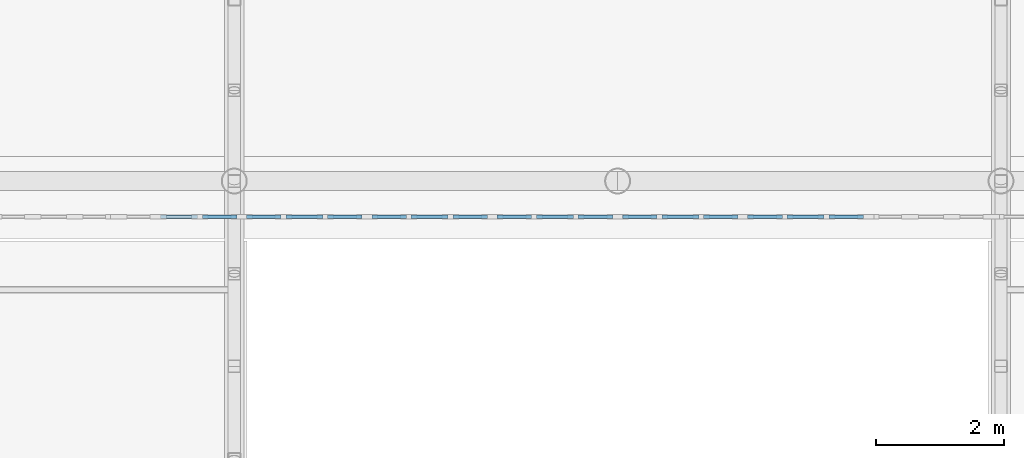
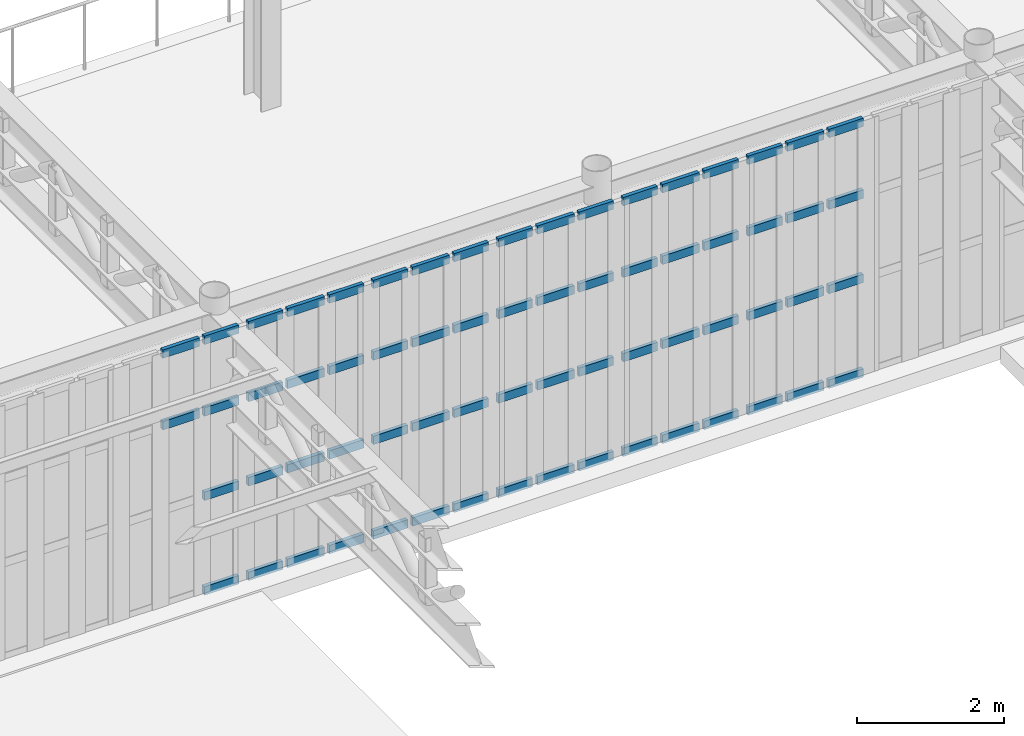
# One storey, part 36 of 91: 66 members, 6 elements without a shape of their own.
"""IFC4 building model written with IfcOpenShell, lengths in metres."""

import ifcopenshell
import ifcopenshell.guid

model = None  # the IFC model being written
_history = None  # IfcOwnerHistory: only IFC2X3 demands one
_inside = {}  # id of a spatial element -> (the spatial element, [elements in it])
_under = {}  # id of a project, library or spatial element -> (it, [spatial elements below it])
_declared = {}  # id of a project -> (the project, [libraries it declares])
_typed = {}  # id of a type object -> (the type object, [elements of that type])
_made_of = {}  # id of a material, layer set ... -> (it, [elements and type objects made of it])


def new_model(schema):
    """Start an empty IFC model of exactly this schema.

    Asked for "IFC4X3", IfcOpenShell would pick the latest addendum, in which some entities
    have other attributes; the version numbers below select the first issue.
    IFC2X3 requires an IfcOwnerHistory on every rooted entity: one is made here for all.
    """
    global model, _history
    if schema == "IFC4X3":
        model = ifcopenshell.file(schema_version=(4, 3, 0, 0))
    else:
        model = ifcopenshell.file(schema=schema)
    _inside.clear()
    _under.clear()
    _declared.clear()
    _typed.clear()
    _made_of.clear()
    _history = None
    if model.schema == "IFC2X3":
        org = make("IfcOrganization", Name="unknown")
        user = make(
            "IfcPersonAndOrganization",
            ThePerson=make("IfcPerson", FamilyName="unknown"),
            TheOrganization=org,
        )
        app = make(
            "IfcApplication",
            ApplicationDeveloper=org,
            Version="unknown",
            ApplicationFullName="unknown",
            ApplicationIdentifier="unknown",
        )
        _history = make(
            "IfcOwnerHistory",
            OwningUser=user,
            OwningApplication=app,
            ChangeAction="ADDED",
            CreationDate=0,
        )
    return model


def make(cls, **values):
    """One entity of the class cls with the attributes given. An attribute that is None is left unset."""
    return model.create_entity(
        cls, **{name: value for name, value in values.items() if value is not None}
    )


def rooted(cls, **values):
    """An entity with a GlobalId (a new one), such as an element, a storey or a relation."""
    return make(cls, GlobalId=ifcopenshell.guid.new(), OwnerHistory=_history, **values)


def si_unit(unit_type, name, prefix=None):
    """IfcSIUnit, for example si_unit("LENGTHUNIT", "METRE", prefix="MILLI")."""
    return make("IfcSIUnit", UnitType=unit_type, Prefix=prefix, Name=name)


def assignment(units):
    """IfcUnitAssignment: the units of a project."""
    return None if units is None else make("IfcUnitAssignment", Units=units)


def point(xyz):
    """IfcCartesianPoint."""
    return None if xyz is None else make("IfcCartesianPoint", Coordinates=xyz)


def direction(xyz):
    """IfcDirection."""
    return None if xyz is None else make("IfcDirection", DirectionRatios=xyz)


def frame(location, z_axis=None, x_axis=None):
    """IfcAxis2Placement3D, a coordinate frame: its origin and axes. An axis left out is left unset."""
    return make(
        "IfcAxis2Placement3D",
        Location=point(location),
        Axis=direction(z_axis),
        RefDirection=direction(x_axis),
    )


def frame_2d(location, x_axis=None):
    """IfcAxis2Placement2D, a coordinate frame in the plane: its origin and x axis."""
    return make(
        "IfcAxis2Placement2D", Location=point(location), RefDirection=direction(x_axis)
    )


def origin():
    """The frame at (0, 0, 0) with its axes left unset."""
    return frame((0.0, 0.0, 0.0))


def origin_2d():
    """The frame at (0, 0) in the plane with its x axis left unset."""
    return frame_2d((0.0, 0.0))


def place(relative_to, where):
    """IfcLocalPlacement: puts the frame where relative to a parent placement (None: the world)."""
    return make(
        "IfcLocalPlacement", PlacementRelTo=relative_to, RelativePlacement=where
    )


def context(
    kind, dimensions, precision=None, world=None, true_north=None, identifier=None
):
    """IfcGeometricRepresentationContext, for example the 3D "Model" context."""
    return make(
        "IfcGeometricRepresentationContext",
        ContextIdentifier=identifier,
        ContextType=kind,
        CoordinateSpaceDimension=dimensions,
        Precision=precision,
        WorldCoordinateSystem=world,
        TrueNorth=true_north,
    )


def subcontext(parent, identifier, kind, view, scale=None):
    """IfcGeometricRepresentationSubContext, for example "Body" below "Model"."""
    return make(
        "IfcGeometricRepresentationSubContext",
        ContextIdentifier=identifier,
        ContextType=kind,
        ParentContext=parent,
        TargetScale=scale,
        TargetView=view,
    )


def project(units=None, contexts=None):
    """IfcProject with its units and contexts."""
    return rooted(
        "IfcProject",
        Name="project",
        RepresentationContexts=contexts,
        UnitsInContext=assignment(units),
    )


def spatial(cls, under=None, at=None, **own):
    """A site, building, storey or space (cls), placed at a placement, below another one or the project."""
    s = rooted(cls, ObjectPlacement=at, **own)
    if under is not None:
        _under.setdefault(under.id(), (under, []))[1].append(s)
    return s


def profile(cls, at=None, kind="AREA", **sizes):
    """A parametric profile (cls). Its sizes go by their IFC names, for example OverallWidth=200.0."""
    return make(cls, ProfileType=kind, Position=at, **sizes)


def rectangle(**sizes):
    """IfcRectangleProfileDef."""
    return profile("IfcRectangleProfileDef", **sizes)


def extrude(swept, where, along, depth):
    """IfcExtrudedAreaSolid: the profile swept, set in the frame where, extruded along a direction by depth."""
    return make(
        "IfcExtrudedAreaSolid",
        SweptArea=swept,
        Position=where,
        ExtrudedDirection=direction(along),
        Depth=depth,
    )


def shape(context_of_items, identifier, shape_type, items):
    """IfcShapeRepresentation: the items that make up one representation, for example the "Body"."""
    return make(
        "IfcShapeRepresentation",
        ContextOfItems=context_of_items,
        RepresentationIdentifier=identifier,
        RepresentationType=shape_type,
        Items=items,
    )


def material(Name=None, Category=None):
    """IfcMaterial."""
    return make("IfcMaterial", Name=Name, Category=Category)


def material_profile(
    of_material, cross_section, Name=None, Category=None, Priority=None
):
    """IfcMaterialProfile: a cross section and its material."""
    return make(
        "IfcMaterialProfile",
        Name=Name,
        Material=of_material,
        Profile=cross_section,
        Priority=Priority,
        Category=Category,
    )


def profile_set(profiles, Name=None, composite=None):
    """IfcMaterialProfileSet."""
    return make(
        "IfcMaterialProfileSet",
        Name=Name,
        MaterialProfiles=profiles,
        CompositeProfile=composite,
    )


def made_of(thing, what):
    """Note that an element or type object is made of a material, layer set ...; save() writes the relation."""
    if what is not None:
        _made_of.setdefault(what.id(), (what, []))[1].append(thing)
    return thing


def type_object(cls, material=None, **own):
    """A type object (cls), such as IfcWallType, which elements share."""
    return made_of(rooted(cls, **own), material)


def element(
    cls,
    number,
    at=None,
    inside=None,
    cuts=None,
    type_object=None,
    material=None,
    context=None,
    identifier="Body",
    shape_type=None,
    held_by="IfcProductDefinitionShape",
    body=None,
    shapes=None,
    **own,
):
    """One element of the class cls, such as IfcWall. Its Tag is "e" and its number.

    at: its placement. inside: the storey or other place that contains it. cuts: it is an
    opening in that element (IfcRelVoidsElement). A single representation is given by context,
    identifier, shape_type and body (its items); several are given by shapes. held_by: the class
    of the entity that holds the representations. save() writes the other relations.
    """
    e = rooted(cls, Tag="e%d" % number, ObjectPlacement=at, **own)
    if body is not None:
        shapes = [shape(context, identifier, shape_type, body)]
    if shapes is not None:
        e.Representation = make(held_by, Representations=shapes)
    if inside is not None:
        _inside.setdefault(inside.id(), (inside, []))[1].append(e)
    if cuts is not None:
        rooted(
            "IfcRelVoidsElement", RelatingBuildingElement=cuts, RelatedOpeningElement=e
        )
    if type_object is not None:
        _typed.setdefault(type_object.id(), (type_object, []))[1].append(e)
    return made_of(e, material)


def aggregate(whole, parts):
    """IfcRelAggregates: a whole, such as a stair, and the parts it consists of."""
    return rooted("IfcRelAggregates", RelatingObject=whole, RelatedObjects=parts)


def save(model, path):
    """Write the relations noted so far, then the file.

    IfcRelAggregates (storeys below a building ...), IfcRelContainedInSpatialStructure (elements
    in a storey), IfcRelDefinesByType, IfcRelAssociatesMaterial and IfcRelDeclares: one each for
    every whole, place, type object, material and project.
    """
    for whole, parts in _under.values():
        aggregate(whole, parts)
    for where, things in _inside.values():
        rooted(
            "IfcRelContainedInSpatialStructure",
            RelatedElements=things,
            RelatingStructure=where,
        )
    for kind, things in _typed.values():
        rooted("IfcRelDefinesByType", RelatedObjects=things, RelatingType=kind)
    for what, things in _made_of.values():
        rooted("IfcRelAssociatesMaterial", RelatedObjects=things, RelatingMaterial=what)
    for by, libraries in _declared.values():
        rooted("IfcRelDeclares", RelatingContext=by, RelatedDefinitions=libraries)
    model.write(path)


model = new_model("IFC4")

# Units and contexts
model_context = context("Model", 3, precision=1e-05, world=origin(), true_north=direction((0.0, 1.0)))
body_context = subcontext(model_context, "Body", "Model", "MODEL_VIEW")
ifc_project = project(units=[si_unit("LENGTHUNIT", "METRE"), si_unit("AREAUNIT", "SQUARE_METRE"), si_unit("VOLUMEUNIT", "CUBIC_METRE"), si_unit("PLANEANGLEUNIT", "RADIAN"), si_unit("MASSUNIT", "GRAM", prefix="KILO")], contexts=[model_context])

# Site, building, storey
site_placement = place(None, origin())
site = spatial("IfcSite", under=ifc_project, at=site_placement, CompositionType="ELEMENT")
building_placement = place(site_placement, origin())
building = spatial("IfcBuilding", under=site, at=building_placement, Name="Kolvaren Corner Interchange", CompositionType="ELEMENT")
storey_placement = place(building_placement, frame((0.0, 0.0, 6.0)))
storey = spatial("IfcBuildingStorey", under=building, at=storey_placement, Name="L02", CompositionType="ELEMENT", Elevation=6.0)

# Curtain wall, members
ifc_material_1 = material(Name="Unitised Aluminium and Solar-Control Glass Curtain Wall", Category="aluminium")
curtain_wall_type = type_object("IfcCurtainWallType", Name="CW-V1-MEZZ", PredefinedType="NOTDEFINED", material=ifc_material_1)
curtain_wall_1_placement = place(storey_placement, origin())
curtain_wall_1 = element("IfcCurtainWall", 1, at=curtain_wall_1_placement, inside=storey, type_object=curtain_wall_type, Name="South Portal Mezzanine Curtain Wall Bay 06", PredefinedType="NOTDEFINED")
ifc_material_2 = material(Name="Anodised Aluminium Framing", Category="aluminium")
ifc_material_profile = material_profile(ifc_material_2, rectangle(XDim=0.06005859375, YDim=0.139892578125, at=origin_2d()), Name="ALU 60x140")
ifc_profile_set = profile_set([ifc_material_profile], Name="Anodised Aluminium Framing")
member_type = type_object("IfcMemberType", Name="TRN-ALU60x140", PredefinedType="USERDEFINED", material=ifc_profile_set)
member_1_placement = place(storey_placement, frame((82.8466796875, 24.340087890625, 3.0), z_axis=(1.0, 0.0, 0.0), x_axis=(0.0, 1.0, 0.0)))
member_1 = element("IfcMember", 2, at=member_1_placement, type_object=member_type, Name="CW-024 transom 2.3", ObjectType="TRANSOM", PredefinedType="USERDEFINED", context=body_context, shape_type="SweptSolid", body=[
    extrude(rectangle(XDim=0.06005859375, YDim=0.139892578125, at=origin_2d()), origin(), (0.0, 0.0, 1.0), 0.578857421875),
])
member_2_placement = place(storey_placement, frame((82.8466796875, 24.340087890625, 4.18994140625), z_axis=(1.0, 0.0, 0.0), x_axis=(0.0, 1.0, 0.0)))
member_2 = element("IfcMember", 3, at=member_2_placement, type_object=member_type, Name="CW-024 transom 2.4", ObjectType="TRANSOM", PredefinedType="USERDEFINED", context=body_context, shape_type="SweptSolid", body=[
    extrude(rectangle(XDim=0.06005859375, YDim=0.139892578125, at=origin_2d()), origin(), (0.0, 0.0, 1.0), 0.578857421875),
])
member_3_placement = place(storey_placement, frame((83.50048828125, 24.340087890625, 0.030029296875), z_axis=(1.0, 0.0, 0.0), x_axis=(0.0, 1.0, 0.0)))
member_3 = element("IfcMember", 4, at=member_3_placement, type_object=member_type, Name="CW-024 transom 3.1", ObjectType="TRANSOM", PredefinedType="USERDEFINED", context=body_context, shape_type="SweptSolid", body=[
    extrude(rectangle(XDim=0.06005859375, YDim=0.139892578125, at=origin_2d()), origin(), (0.0, 0.0, 1.0), 0.541259765625),
])
member_4_placement = place(storey_placement, frame((83.50048828125, 24.340087890625, 1.60009765625), z_axis=(1.0, 0.0, 0.0), x_axis=(0.0, 1.0, 0.0)))
member_4 = element("IfcMember", 5, at=member_4_placement, type_object=member_type, Name="CW-024 transom 3.2", ObjectType="TRANSOM", PredefinedType="USERDEFINED", context=body_context, shape_type="SweptSolid", body=[
    extrude(rectangle(XDim=0.06005859375, YDim=0.139892578125, at=origin_2d()), origin(), (0.0, 0.0, 1.0), 0.541259765625),
])
member_5_placement = place(storey_placement, frame((83.50048828125, 24.340087890625, 3.0), z_axis=(1.0, 0.0, 0.0), x_axis=(0.0, 1.0, 0.0)))
member_5 = element("IfcMember", 6, at=member_5_placement, type_object=member_type, Name="CW-024 transom 3.3", ObjectType="TRANSOM", PredefinedType="USERDEFINED", context=body_context, shape_type="SweptSolid", body=[
    extrude(rectangle(XDim=0.06005859375, YDim=0.139892578125, at=origin_2d()), origin(), (0.0, 0.0, 1.0), 0.541259765625),
])
member_6_placement = place(storey_placement, frame((83.50048828125, 24.340087890625, 4.18994140625), z_axis=(1.0, 0.0, 0.0), x_axis=(0.0, 1.0, 0.0)))
member_6 = element("IfcMember", 7, at=member_6_placement, type_object=member_type, Name="CW-024 transom 3.4", ObjectType="TRANSOM", PredefinedType="USERDEFINED", context=body_context, shape_type="SweptSolid", body=[
    extrude(rectangle(XDim=0.06005859375, YDim=0.139892578125, at=origin_2d()), origin(), (0.0, 0.0, 1.0), 0.541259765625),
])
aggregate(curtain_wall_1, [member_1, member_2, member_3, member_4, member_5, member_6])

curtain_wall_2_placement = place(storey_placement, origin())
curtain_wall_2 = element("IfcCurtainWall", 8, at=curtain_wall_2_placement, inside=storey, type_object=curtain_wall_type, Name="South Portal Mezzanine Curtain Wall Bay 07", PredefinedType="NOTDEFINED")
member_7_placement = place(storey_placement, frame((84.191650390625, 24.340087890625, 0.030029296875), z_axis=(1.0, 0.0, 0.0), x_axis=(0.0, 1.0, 0.0)))
member_7 = element("IfcMember", 9, at=member_7_placement, type_object=member_type, Name="CW-025 transom 1.1", ObjectType="TRANSOM", PredefinedType="USERDEFINED", context=body_context, shape_type="SweptSolid", body=[
    extrude(rectangle(XDim=0.06005859375, YDim=0.139892578125, at=origin_2d()), origin(), (0.0, 0.0, 1.0), 0.541259765625),
])
member_8_placement = place(storey_placement, frame((84.191650390625, 24.340087890625, 1.60009765625), z_axis=(1.0, 0.0, 0.0), x_axis=(0.0, 1.0, 0.0)))
member_8 = element("IfcMember", 10, at=member_8_placement, type_object=member_type, Name="CW-025 transom 1.2", ObjectType="TRANSOM", PredefinedType="USERDEFINED", context=body_context, shape_type="SweptSolid", body=[
    extrude(rectangle(XDim=0.06005859375, YDim=0.139892578125, at=origin_2d()), origin(), (0.0, 0.0, 1.0), 0.541259765625),
])
member_9_placement = place(storey_placement, frame((84.191650390625, 24.340087890625, 3.0), z_axis=(1.0, 0.0, 0.0), x_axis=(0.0, 1.0, 0.0)))
member_9 = element("IfcMember", 11, at=member_9_placement, type_object=member_type, Name="CW-025 transom 1.3", ObjectType="TRANSOM", PredefinedType="USERDEFINED", context=body_context, shape_type="SweptSolid", body=[
    extrude(rectangle(XDim=0.06005859375, YDim=0.139892578125, at=origin_2d()), origin(), (0.0, 0.0, 1.0), 0.541259765625),
])
member_10_placement = place(storey_placement, frame((84.191650390625, 24.340087890625, 4.18994140625), z_axis=(1.0, 0.0, 0.0), x_axis=(0.0, 1.0, 0.0)))
member_10 = element("IfcMember", 12, at=member_10_placement, type_object=member_type, Name="CW-025 transom 1.4", ObjectType="TRANSOM", PredefinedType="USERDEFINED", context=body_context, shape_type="SweptSolid", body=[
    extrude(rectangle(XDim=0.06005859375, YDim=0.139892578125, at=origin_2d()), origin(), (0.0, 0.0, 1.0), 0.541259765625),
])
member_11_placement = place(storey_placement, frame((84.807861328125, 24.340087890625, 0.030029296875), z_axis=(1.0, 0.0, 0.0), x_axis=(0.0, 1.0, 0.0)))
member_11 = element("IfcMember", 13, at=member_11_placement, type_object=member_type, Name="CW-025 transom 2.1", ObjectType="TRANSOM", PredefinedType="USERDEFINED", context=body_context, shape_type="SweptSolid", body=[
    extrude(rectangle(XDim=0.06005859375, YDim=0.139892578125, at=origin_2d()), origin(), (0.0, 0.0, 1.0), 0.578857421875),
])
member_12_placement = place(storey_placement, frame((84.807861328125, 24.340087890625, 1.60009765625), z_axis=(1.0, 0.0, 0.0), x_axis=(0.0, 1.0, 0.0)))
member_12 = element("IfcMember", 14, at=member_12_placement, type_object=member_type, Name="CW-025 transom 2.2", ObjectType="TRANSOM", PredefinedType="USERDEFINED", context=body_context, shape_type="SweptSolid", body=[
    extrude(rectangle(XDim=0.06005859375, YDim=0.139892578125, at=origin_2d()), origin(), (0.0, 0.0, 1.0), 0.578857421875),
])
member_13_placement = place(storey_placement, frame((84.807861328125, 24.340087890625, 3.0), z_axis=(1.0, 0.0, 0.0), x_axis=(0.0, 1.0, 0.0)))
member_13 = element("IfcMember", 15, at=member_13_placement, type_object=member_type, Name="CW-025 transom 2.3", ObjectType="TRANSOM", PredefinedType="USERDEFINED", context=body_context, shape_type="SweptSolid", body=[
    extrude(rectangle(XDim=0.06005859375, YDim=0.139892578125, at=origin_2d()), origin(), (0.0, 0.0, 1.0), 0.578857421875),
])
member_14_placement = place(storey_placement, frame((84.807861328125, 24.340087890625, 4.18994140625), z_axis=(1.0, 0.0, 0.0), x_axis=(0.0, 1.0, 0.0)))
member_14 = element("IfcMember", 16, at=member_14_placement, type_object=member_type, Name="CW-025 transom 2.4", ObjectType="TRANSOM", PredefinedType="USERDEFINED", context=body_context, shape_type="SweptSolid", body=[
    extrude(rectangle(XDim=0.06005859375, YDim=0.139892578125, at=origin_2d()), origin(), (0.0, 0.0, 1.0), 0.578857421875),
])
member_15_placement = place(storey_placement, frame((85.461669921875, 24.340087890625, 0.030029296875), z_axis=(1.0, 0.0, 0.0), x_axis=(0.0, 1.0, 0.0)))
member_15 = element("IfcMember", 17, at=member_15_placement, type_object=member_type, Name="CW-025 transom 3.1", ObjectType="TRANSOM", PredefinedType="USERDEFINED", context=body_context, shape_type="SweptSolid", body=[
    extrude(rectangle(XDim=0.06005859375, YDim=0.139892578125, at=origin_2d()), origin(), (0.0, 0.0, 1.0), 0.541015625),
])
member_16_placement = place(storey_placement, frame((85.461669921875, 24.340087890625, 1.60009765625), z_axis=(1.0, 0.0, 0.0), x_axis=(0.0, 1.0, 0.0)))
member_16 = element("IfcMember", 18, at=member_16_placement, type_object=member_type, Name="CW-025 transom 3.2", ObjectType="TRANSOM", PredefinedType="USERDEFINED", context=body_context, shape_type="SweptSolid", body=[
    extrude(rectangle(XDim=0.06005859375, YDim=0.139892578125, at=origin_2d()), origin(), (0.0, 0.0, 1.0), 0.541015625),
])
member_17_placement = place(storey_placement, frame((85.461669921875, 24.340087890625, 3.0), z_axis=(1.0, 0.0, 0.0), x_axis=(0.0, 1.0, 0.0)))
member_17 = element("IfcMember", 19, at=member_17_placement, type_object=member_type, Name="CW-025 transom 3.3", ObjectType="TRANSOM", PredefinedType="USERDEFINED", context=body_context, shape_type="SweptSolid", body=[
    extrude(rectangle(XDim=0.06005859375, YDim=0.139892578125, at=origin_2d()), origin(), (0.0, 0.0, 1.0), 0.541015625),
])
member_18_placement = place(storey_placement, frame((85.461669921875, 24.340087890625, 4.18994140625), z_axis=(1.0, 0.0, 0.0), x_axis=(0.0, 1.0, 0.0)))
member_18 = element("IfcMember", 20, at=member_18_placement, type_object=member_type, Name="CW-025 transom 3.4", ObjectType="TRANSOM", PredefinedType="USERDEFINED", context=body_context, shape_type="SweptSolid", body=[
    extrude(rectangle(XDim=0.06005859375, YDim=0.139892578125, at=origin_2d()), origin(), (0.0, 0.0, 1.0), 0.541015625),
])
aggregate(curtain_wall_2, [member_7, member_8, member_9, member_10, member_11, member_12, member_13, member_14, member_15, member_16, member_17, member_18])

curtain_wall_3_placement = place(storey_placement, origin())
curtain_wall_3 = element("IfcCurtainWall", 21, at=curtain_wall_3_placement, inside=storey, type_object=curtain_wall_type, Name="South Portal Mezzanine Curtain Wall Bay 08", PredefinedType="NOTDEFINED")
member_19_placement = place(storey_placement, frame((86.15283203125, 24.340087890625, 0.030029296875), z_axis=(1.0, 0.0, 0.0), x_axis=(0.0, 1.0, 0.0)))
member_19 = element("IfcMember", 22, at=member_19_placement, type_object=member_type, Name="CW-026 transom 1.1", ObjectType="TRANSOM", PredefinedType="USERDEFINED", context=body_context, shape_type="SweptSolid", body=[
    extrude(rectangle(XDim=0.06005859375, YDim=0.139892578125, at=origin_2d()), origin(), (0.0, 0.0, 1.0), 0.541259765625),
])
member_20_placement = place(storey_placement, frame((86.15283203125, 24.340087890625, 1.60009765625), z_axis=(1.0, 0.0, 0.0), x_axis=(0.0, 1.0, 0.0)))
member_20 = element("IfcMember", 23, at=member_20_placement, type_object=member_type, Name="CW-026 transom 1.2", ObjectType="TRANSOM", PredefinedType="USERDEFINED", context=body_context, shape_type="SweptSolid", body=[
    extrude(rectangle(XDim=0.06005859375, YDim=0.139892578125, at=origin_2d()), origin(), (0.0, 0.0, 1.0), 0.541259765625),
])
member_21_placement = place(storey_placement, frame((86.15283203125, 24.340087890625, 3.0), z_axis=(1.0, 0.0, 0.0), x_axis=(0.0, 1.0, 0.0)))
member_21 = element("IfcMember", 24, at=member_21_placement, type_object=member_type, Name="CW-026 transom 1.3", ObjectType="TRANSOM", PredefinedType="USERDEFINED", context=body_context, shape_type="SweptSolid", body=[
    extrude(rectangle(XDim=0.06005859375, YDim=0.139892578125, at=origin_2d()), origin(), (0.0, 0.0, 1.0), 0.541259765625),
])
member_22_placement = place(storey_placement, frame((86.15283203125, 24.340087890625, 4.18994140625), z_axis=(1.0, 0.0, 0.0), x_axis=(0.0, 1.0, 0.0)))
member_22 = element("IfcMember", 25, at=member_22_placement, type_object=member_type, Name="CW-026 transom 1.4", ObjectType="TRANSOM", PredefinedType="USERDEFINED", context=body_context, shape_type="SweptSolid", body=[
    extrude(rectangle(XDim=0.06005859375, YDim=0.139892578125, at=origin_2d()), origin(), (0.0, 0.0, 1.0), 0.541259765625),
])
member_23_placement = place(storey_placement, frame((86.76904296875, 24.340087890625, 0.030029296875), z_axis=(1.0, 0.0, 0.0), x_axis=(0.0, 1.0, 0.0)))
member_23 = element("IfcMember", 26, at=member_23_placement, type_object=member_type, Name="CW-026 transom 2.1", ObjectType="TRANSOM", PredefinedType="USERDEFINED", context=body_context, shape_type="SweptSolid", body=[
    extrude(rectangle(XDim=0.06005859375, YDim=0.139892578125, at=origin_2d()), origin(), (0.0, 0.0, 1.0), 0.57861328125),
])
member_24_placement = place(storey_placement, frame((86.76904296875, 24.340087890625, 1.60009765625), z_axis=(1.0, 0.0, 0.0), x_axis=(0.0, 1.0, 0.0)))
member_24 = element("IfcMember", 27, at=member_24_placement, type_object=member_type, Name="CW-026 transom 2.2", ObjectType="TRANSOM", PredefinedType="USERDEFINED", context=body_context, shape_type="SweptSolid", body=[
    extrude(rectangle(XDim=0.06005859375, YDim=0.139892578125, at=origin_2d()), origin(), (0.0, 0.0, 1.0), 0.57861328125),
])
member_25_placement = place(storey_placement, frame((86.76904296875, 24.340087890625, 3.0), z_axis=(1.0, 0.0, 0.0), x_axis=(0.0, 1.0, 0.0)))
member_25 = element("IfcMember", 28, at=member_25_placement, type_object=member_type, Name="CW-026 transom 2.3", ObjectType="TRANSOM", PredefinedType="USERDEFINED", context=body_context, shape_type="SweptSolid", body=[
    extrude(rectangle(XDim=0.06005859375, YDim=0.139892578125, at=origin_2d()), origin(), (0.0, 0.0, 1.0), 0.57861328125),
])
member_26_placement = place(storey_placement, frame((86.76904296875, 24.340087890625, 4.18994140625), z_axis=(1.0, 0.0, 0.0), x_axis=(0.0, 1.0, 0.0)))
member_26 = element("IfcMember", 29, at=member_26_placement, type_object=member_type, Name="CW-026 transom 2.4", ObjectType="TRANSOM", PredefinedType="USERDEFINED", context=body_context, shape_type="SweptSolid", body=[
    extrude(rectangle(XDim=0.06005859375, YDim=0.139892578125, at=origin_2d()), origin(), (0.0, 0.0, 1.0), 0.57861328125),
])
member_27_placement = place(storey_placement, frame((87.422607421875, 24.340087890625, 0.030029296875), z_axis=(1.0, 0.0, 0.0), x_axis=(0.0, 1.0, 0.0)))
member_27 = element("IfcMember", 30, at=member_27_placement, type_object=member_type, Name="CW-026 transom 3.1", ObjectType="TRANSOM", PredefinedType="USERDEFINED", context=body_context, shape_type="SweptSolid", body=[
    extrude(rectangle(XDim=0.06005859375, YDim=0.139892578125, at=origin_2d()), origin(), (0.0, 0.0, 1.0), 0.541259765625),
])
member_28_placement = place(storey_placement, frame((87.422607421875, 24.340087890625, 1.60009765625), z_axis=(1.0, 0.0, 0.0), x_axis=(0.0, 1.0, 0.0)))
member_28 = element("IfcMember", 31, at=member_28_placement, type_object=member_type, Name="CW-026 transom 3.2", ObjectType="TRANSOM", PredefinedType="USERDEFINED", context=body_context, shape_type="SweptSolid", body=[
    extrude(rectangle(XDim=0.06005859375, YDim=0.139892578125, at=origin_2d()), origin(), (0.0, 0.0, 1.0), 0.541259765625),
])
member_29_placement = place(storey_placement, frame((87.422607421875, 24.340087890625, 3.0), z_axis=(1.0, 0.0, 0.0), x_axis=(0.0, 1.0, 0.0)))
member_29 = element("IfcMember", 32, at=member_29_placement, type_object=member_type, Name="CW-026 transom 3.3", ObjectType="TRANSOM", PredefinedType="USERDEFINED", context=body_context, shape_type="SweptSolid", body=[
    extrude(rectangle(XDim=0.06005859375, YDim=0.139892578125, at=origin_2d()), origin(), (0.0, 0.0, 1.0), 0.541259765625),
])
member_30_placement = place(storey_placement, frame((87.422607421875, 24.340087890625, 4.18994140625), z_axis=(1.0, 0.0, 0.0), x_axis=(0.0, 1.0, 0.0)))
member_30 = element("IfcMember", 33, at=member_30_placement, type_object=member_type, Name="CW-026 transom 3.4", ObjectType="TRANSOM", PredefinedType="USERDEFINED", context=body_context, shape_type="SweptSolid", body=[
    extrude(rectangle(XDim=0.06005859375, YDim=0.139892578125, at=origin_2d()), origin(), (0.0, 0.0, 1.0), 0.541259765625),
])
aggregate(curtain_wall_3, [member_19, member_20, member_21, member_22, member_23, member_24, member_25, member_26, member_27, member_28, member_29, member_30])

curtain_wall_4_placement = place(storey_placement, origin())
curtain_wall_4 = element("IfcCurtainWall", 34, at=curtain_wall_4_placement, inside=storey, type_object=curtain_wall_type, Name="South Portal Mezzanine Curtain Wall Bay 09", PredefinedType="NOTDEFINED")
member_31_placement = place(storey_placement, frame((88.114013671875, 24.340087890625, 0.030029296875), z_axis=(1.0, 0.0, 0.0), x_axis=(0.0, 1.0, 0.0)))
member_31 = element("IfcMember", 35, at=member_31_placement, type_object=member_type, Name="CW-027 transom 1.1", ObjectType="TRANSOM", PredefinedType="USERDEFINED", context=body_context, shape_type="SweptSolid", body=[
    extrude(rectangle(XDim=0.06005859375, YDim=0.139892578125, at=origin_2d()), origin(), (0.0, 0.0, 1.0), 0.541015625),
])
member_32_placement = place(storey_placement, frame((88.114013671875, 24.340087890625, 1.60009765625), z_axis=(1.0, 0.0, 0.0), x_axis=(0.0, 1.0, 0.0)))
member_32 = element("IfcMember", 36, at=member_32_placement, type_object=member_type, Name="CW-027 transom 1.2", ObjectType="TRANSOM", PredefinedType="USERDEFINED", context=body_context, shape_type="SweptSolid", body=[
    extrude(rectangle(XDim=0.06005859375, YDim=0.139892578125, at=origin_2d()), origin(), (0.0, 0.0, 1.0), 0.541015625),
])
member_33_placement = place(storey_placement, frame((88.114013671875, 24.340087890625, 3.0), z_axis=(1.0, 0.0, 0.0), x_axis=(0.0, 1.0, 0.0)))
member_33 = element("IfcMember", 37, at=member_33_placement, type_object=member_type, Name="CW-027 transom 1.3", ObjectType="TRANSOM", PredefinedType="USERDEFINED", context=body_context, shape_type="SweptSolid", body=[
    extrude(rectangle(XDim=0.06005859375, YDim=0.139892578125, at=origin_2d()), origin(), (0.0, 0.0, 1.0), 0.541015625),
])
member_34_placement = place(storey_placement, frame((88.114013671875, 24.340087890625, 4.18994140625), z_axis=(1.0, 0.0, 0.0), x_axis=(0.0, 1.0, 0.0)))
member_34 = element("IfcMember", 38, at=member_34_placement, type_object=member_type, Name="CW-027 transom 1.4", ObjectType="TRANSOM", PredefinedType="USERDEFINED", context=body_context, shape_type="SweptSolid", body=[
    extrude(rectangle(XDim=0.06005859375, YDim=0.139892578125, at=origin_2d()), origin(), (0.0, 0.0, 1.0), 0.541015625),
])
member_35_placement = place(storey_placement, frame((88.72998046875, 24.340087890625, 0.030029296875), z_axis=(1.0, 0.0, 0.0), x_axis=(0.0, 1.0, 0.0)))
member_35 = element("IfcMember", 39, at=member_35_placement, type_object=member_type, Name="CW-027 transom 2.1", ObjectType="TRANSOM", PredefinedType="USERDEFINED", context=body_context, shape_type="SweptSolid", body=[
    extrude(rectangle(XDim=0.06005859375, YDim=0.139892578125, at=origin_2d()), origin(), (0.0, 0.0, 1.0), 0.578857421875),
])
member_36_placement = place(storey_placement, frame((88.72998046875, 24.340087890625, 1.60009765625), z_axis=(1.0, 0.0, 0.0), x_axis=(0.0, 1.0, 0.0)))
member_36 = element("IfcMember", 40, at=member_36_placement, type_object=member_type, Name="CW-027 transom 2.2", ObjectType="TRANSOM", PredefinedType="USERDEFINED", context=body_context, shape_type="SweptSolid", body=[
    extrude(rectangle(XDim=0.06005859375, YDim=0.139892578125, at=origin_2d()), origin(), (0.0, 0.0, 1.0), 0.578857421875),
])
member_37_placement = place(storey_placement, frame((88.72998046875, 24.340087890625, 3.0), z_axis=(1.0, 0.0, 0.0), x_axis=(0.0, 1.0, 0.0)))
member_37 = element("IfcMember", 41, at=member_37_placement, type_object=member_type, Name="CW-027 transom 2.3", ObjectType="TRANSOM", PredefinedType="USERDEFINED", context=body_context, shape_type="SweptSolid", body=[
    extrude(rectangle(XDim=0.06005859375, YDim=0.139892578125, at=origin_2d()), origin(), (0.0, 0.0, 1.0), 0.578857421875),
])
member_38_placement = place(storey_placement, frame((88.72998046875, 24.340087890625, 4.18994140625), z_axis=(1.0, 0.0, 0.0), x_axis=(0.0, 1.0, 0.0)))
member_38 = element("IfcMember", 42, at=member_38_placement, type_object=member_type, Name="CW-027 transom 2.4", ObjectType="TRANSOM", PredefinedType="USERDEFINED", context=body_context, shape_type="SweptSolid", body=[
    extrude(rectangle(XDim=0.06005859375, YDim=0.139892578125, at=origin_2d()), origin(), (0.0, 0.0, 1.0), 0.578857421875),
])
member_39_placement = place(storey_placement, frame((89.3837890625, 24.340087890625, 0.030029296875), z_axis=(1.0, 0.0, 0.0), x_axis=(0.0, 1.0, 0.0)))
member_39 = element("IfcMember", 43, at=member_39_placement, type_object=member_type, Name="CW-027 transom 3.1", ObjectType="TRANSOM", PredefinedType="USERDEFINED", context=body_context, shape_type="SweptSolid", body=[
    extrude(rectangle(XDim=0.06005859375, YDim=0.139892578125, at=origin_2d()), origin(), (0.0, 0.0, 1.0), 0.541259765625),
])
member_40_placement = place(storey_placement, frame((89.3837890625, 24.340087890625, 1.60009765625), z_axis=(1.0, 0.0, 0.0), x_axis=(0.0, 1.0, 0.0)))
member_40 = element("IfcMember", 44, at=member_40_placement, type_object=member_type, Name="CW-027 transom 3.2", ObjectType="TRANSOM", PredefinedType="USERDEFINED", context=body_context, shape_type="SweptSolid", body=[
    extrude(rectangle(XDim=0.06005859375, YDim=0.139892578125, at=origin_2d()), origin(), (0.0, 0.0, 1.0), 0.541259765625),
])
member_41_placement = place(storey_placement, frame((89.3837890625, 24.340087890625, 3.0), z_axis=(1.0, 0.0, 0.0), x_axis=(0.0, 1.0, 0.0)))
member_41 = element("IfcMember", 45, at=member_41_placement, type_object=member_type, Name="CW-027 transom 3.3", ObjectType="TRANSOM", PredefinedType="USERDEFINED", context=body_context, shape_type="SweptSolid", body=[
    extrude(rectangle(XDim=0.06005859375, YDim=0.139892578125, at=origin_2d()), origin(), (0.0, 0.0, 1.0), 0.541259765625),
])
member_42_placement = place(storey_placement, frame((89.3837890625, 24.340087890625, 4.18994140625), z_axis=(1.0, 0.0, 0.0), x_axis=(0.0, 1.0, 0.0)))
member_42 = element("IfcMember", 46, at=member_42_placement, type_object=member_type, Name="CW-027 transom 3.4", ObjectType="TRANSOM", PredefinedType="USERDEFINED", context=body_context, shape_type="SweptSolid", body=[
    extrude(rectangle(XDim=0.06005859375, YDim=0.139892578125, at=origin_2d()), origin(), (0.0, 0.0, 1.0), 0.541259765625),
])
aggregate(curtain_wall_4, [member_31, member_32, member_33, member_34, member_35, member_36, member_37, member_38, member_39, member_40, member_41, member_42])

curtain_wall_5_placement = place(storey_placement, origin())
curtain_wall_5 = element("IfcCurtainWall", 47, at=curtain_wall_5_placement, inside=storey, type_object=curtain_wall_type, Name="South Portal Mezzanine Curtain Wall Bay 10", PredefinedType="NOTDEFINED")
member_43_placement = place(storey_placement, frame((90.074951171875, 24.340087890625, 0.030029296875), z_axis=(1.0, 0.0, 0.0), x_axis=(0.0, 1.0, 0.0)))
member_43 = element("IfcMember", 48, at=member_43_placement, type_object=member_type, Name="CW-028 transom 1.1", ObjectType="TRANSOM", PredefinedType="USERDEFINED", context=body_context, shape_type="SweptSolid", body=[
    extrude(rectangle(XDim=0.06005859375, YDim=0.139892578125, at=origin_2d()), origin(), (0.0, 0.0, 1.0), 0.541259765625),
])
member_44_placement = place(storey_placement, frame((90.074951171875, 24.340087890625, 1.60009765625), z_axis=(1.0, 0.0, 0.0), x_axis=(0.0, 1.0, 0.0)))
member_44 = element("IfcMember", 49, at=member_44_placement, type_object=member_type, Name="CW-028 transom 1.2", ObjectType="TRANSOM", PredefinedType="USERDEFINED", context=body_context, shape_type="SweptSolid", body=[
    extrude(rectangle(XDim=0.06005859375, YDim=0.139892578125, at=origin_2d()), origin(), (0.0, 0.0, 1.0), 0.541259765625),
])
member_45_placement = place(storey_placement, frame((90.074951171875, 24.340087890625, 3.0), z_axis=(1.0, 0.0, 0.0), x_axis=(0.0, 1.0, 0.0)))
member_45 = element("IfcMember", 50, at=member_45_placement, type_object=member_type, Name="CW-028 transom 1.3", ObjectType="TRANSOM", PredefinedType="USERDEFINED", context=body_context, shape_type="SweptSolid", body=[
    extrude(rectangle(XDim=0.06005859375, YDim=0.139892578125, at=origin_2d()), origin(), (0.0, 0.0, 1.0), 0.541259765625),
])
member_46_placement = place(storey_placement, frame((90.074951171875, 24.340087890625, 4.18994140625), z_axis=(1.0, 0.0, 0.0), x_axis=(0.0, 1.0, 0.0)))
member_46 = element("IfcMember", 51, at=member_46_placement, type_object=member_type, Name="CW-028 transom 1.4", ObjectType="TRANSOM", PredefinedType="USERDEFINED", context=body_context, shape_type="SweptSolid", body=[
    extrude(rectangle(XDim=0.06005859375, YDim=0.139892578125, at=origin_2d()), origin(), (0.0, 0.0, 1.0), 0.541259765625),
])
member_47_placement = place(storey_placement, frame((90.691162109375, 24.340087890625, 0.030029296875), z_axis=(1.0, 0.0, 0.0), x_axis=(0.0, 1.0, 0.0)))
member_47 = element("IfcMember", 52, at=member_47_placement, type_object=member_type, Name="CW-028 transom 2.1", ObjectType="TRANSOM", PredefinedType="USERDEFINED", context=body_context, shape_type="SweptSolid", body=[
    extrude(rectangle(XDim=0.06005859375, YDim=0.139892578125, at=origin_2d()), origin(), (0.0, 0.0, 1.0), 0.578857421875),
])
member_48_placement = place(storey_placement, frame((90.691162109375, 24.340087890625, 1.60009765625), z_axis=(1.0, 0.0, 0.0), x_axis=(0.0, 1.0, 0.0)))
member_48 = element("IfcMember", 53, at=member_48_placement, type_object=member_type, Name="CW-028 transom 2.2", ObjectType="TRANSOM", PredefinedType="USERDEFINED", context=body_context, shape_type="SweptSolid", body=[
    extrude(rectangle(XDim=0.06005859375, YDim=0.139892578125, at=origin_2d()), origin(), (0.0, 0.0, 1.0), 0.578857421875),
])
member_49_placement = place(storey_placement, frame((90.691162109375, 24.340087890625, 3.0), z_axis=(1.0, 0.0, 0.0), x_axis=(0.0, 1.0, 0.0)))
member_49 = element("IfcMember", 54, at=member_49_placement, type_object=member_type, Name="CW-028 transom 2.3", ObjectType="TRANSOM", PredefinedType="USERDEFINED", context=body_context, shape_type="SweptSolid", body=[
    extrude(rectangle(XDim=0.06005859375, YDim=0.139892578125, at=origin_2d()), origin(), (0.0, 0.0, 1.0), 0.578857421875),
])
member_50_placement = place(storey_placement, frame((90.691162109375, 24.340087890625, 4.18994140625), z_axis=(1.0, 0.0, 0.0), x_axis=(0.0, 1.0, 0.0)))
member_50 = element("IfcMember", 55, at=member_50_placement, type_object=member_type, Name="CW-028 transom 2.4", ObjectType="TRANSOM", PredefinedType="USERDEFINED", context=body_context, shape_type="SweptSolid", body=[
    extrude(rectangle(XDim=0.06005859375, YDim=0.139892578125, at=origin_2d()), origin(), (0.0, 0.0, 1.0), 0.578857421875),
])
member_51_placement = place(storey_placement, frame((91.344970703125, 24.340087890625, 0.030029296875), z_axis=(1.0, 0.0, 0.0), x_axis=(0.0, 1.0, 0.0)))
member_51 = element("IfcMember", 56, at=member_51_placement, type_object=member_type, Name="CW-028 transom 3.1", ObjectType="TRANSOM", PredefinedType="USERDEFINED", context=body_context, shape_type="SweptSolid", body=[
    extrude(rectangle(XDim=0.06005859375, YDim=0.139892578125, at=origin_2d()), origin(), (0.0, 0.0, 1.0), 0.541015625),
])
member_52_placement = place(storey_placement, frame((91.344970703125, 24.340087890625, 1.60009765625), z_axis=(1.0, 0.0, 0.0), x_axis=(0.0, 1.0, 0.0)))
member_52 = element("IfcMember", 57, at=member_52_placement, type_object=member_type, Name="CW-028 transom 3.2", ObjectType="TRANSOM", PredefinedType="USERDEFINED", context=body_context, shape_type="SweptSolid", body=[
    extrude(rectangle(XDim=0.06005859375, YDim=0.139892578125, at=origin_2d()), origin(), (0.0, 0.0, 1.0), 0.541015625),
])
member_53_placement = place(storey_placement, frame((91.344970703125, 24.340087890625, 3.0), z_axis=(1.0, 0.0, 0.0), x_axis=(0.0, 1.0, 0.0)))
member_53 = element("IfcMember", 58, at=member_53_placement, type_object=member_type, Name="CW-028 transom 3.3", ObjectType="TRANSOM", PredefinedType="USERDEFINED", context=body_context, shape_type="SweptSolid", body=[
    extrude(rectangle(XDim=0.06005859375, YDim=0.139892578125, at=origin_2d()), origin(), (0.0, 0.0, 1.0), 0.541015625),
])
member_54_placement = place(storey_placement, frame((91.344970703125, 24.340087890625, 4.18994140625), z_axis=(1.0, 0.0, 0.0), x_axis=(0.0, 1.0, 0.0)))
member_54 = element("IfcMember", 59, at=member_54_placement, type_object=member_type, Name="CW-028 transom 3.4", ObjectType="TRANSOM", PredefinedType="USERDEFINED", context=body_context, shape_type="SweptSolid", body=[
    extrude(rectangle(XDim=0.06005859375, YDim=0.139892578125, at=origin_2d()), origin(), (0.0, 0.0, 1.0), 0.541015625),
])
aggregate(curtain_wall_5, [member_43, member_44, member_45, member_46, member_47, member_48, member_49, member_50, member_51, member_52, member_53, member_54])

curtain_wall_6_placement = place(storey_placement, origin())
curtain_wall_6 = element("IfcCurtainWall", 60, at=curtain_wall_6_placement, inside=storey, type_object=curtain_wall_type, Name="South Portal Mezzanine Curtain Wall Bay 11", PredefinedType="NOTDEFINED")
member_55_placement = place(storey_placement, frame((92.0361328125, 24.340087890625, 0.030029296875), z_axis=(1.0, 0.0, 0.0), x_axis=(0.0, 1.0, 0.0)))
member_55 = element("IfcMember", 61, at=member_55_placement, type_object=member_type, Name="CW-029 transom 1.1", ObjectType="TRANSOM", PredefinedType="USERDEFINED", context=body_context, shape_type="SweptSolid", body=[
    extrude(rectangle(XDim=0.06005859375, YDim=0.139892578125, at=origin_2d()), origin(), (0.0, 0.0, 1.0), 0.541259765625),
])
member_56_placement = place(storey_placement, frame((92.0361328125, 24.340087890625, 1.60009765625), z_axis=(1.0, 0.0, 0.0), x_axis=(0.0, 1.0, 0.0)))
member_56 = element("IfcMember", 62, at=member_56_placement, type_object=member_type, Name="CW-029 transom 1.2", ObjectType="TRANSOM", PredefinedType="USERDEFINED", context=body_context, shape_type="SweptSolid", body=[
    extrude(rectangle(XDim=0.06005859375, YDim=0.139892578125, at=origin_2d()), origin(), (0.0, 0.0, 1.0), 0.541259765625),
])
member_57_placement = place(storey_placement, frame((92.0361328125, 24.340087890625, 3.0), z_axis=(1.0, 0.0, 0.0), x_axis=(0.0, 1.0, 0.0)))
member_57 = element("IfcMember", 63, at=member_57_placement, type_object=member_type, Name="CW-029 transom 1.3", ObjectType="TRANSOM", PredefinedType="USERDEFINED", context=body_context, shape_type="SweptSolid", body=[
    extrude(rectangle(XDim=0.06005859375, YDim=0.139892578125, at=origin_2d()), origin(), (0.0, 0.0, 1.0), 0.541259765625),
])
member_58_placement = place(storey_placement, frame((92.0361328125, 24.340087890625, 4.18994140625), z_axis=(1.0, 0.0, 0.0), x_axis=(0.0, 1.0, 0.0)))
member_58 = element("IfcMember", 64, at=member_58_placement, type_object=member_type, Name="CW-029 transom 1.4", ObjectType="TRANSOM", PredefinedType="USERDEFINED", context=body_context, shape_type="SweptSolid", body=[
    extrude(rectangle(XDim=0.06005859375, YDim=0.139892578125, at=origin_2d()), origin(), (0.0, 0.0, 1.0), 0.541259765625),
])
member_59_placement = place(storey_placement, frame((92.65234375, 24.340087890625, 0.030029296875), z_axis=(1.0, 0.0, 0.0), x_axis=(0.0, 1.0, 0.0)))
member_59 = element("IfcMember", 65, at=member_59_placement, type_object=member_type, Name="CW-029 transom 2.1", ObjectType="TRANSOM", PredefinedType="USERDEFINED", context=body_context, shape_type="SweptSolid", body=[
    extrude(rectangle(XDim=0.06005859375, YDim=0.139892578125, at=origin_2d()), origin(), (0.0, 0.0, 1.0), 0.57861328125),
])
member_60_placement = place(storey_placement, frame((92.65234375, 24.340087890625, 1.60009765625), z_axis=(1.0, 0.0, 0.0), x_axis=(0.0, 1.0, 0.0)))
member_60 = element("IfcMember", 66, at=member_60_placement, type_object=member_type, Name="CW-029 transom 2.2", ObjectType="TRANSOM", PredefinedType="USERDEFINED", context=body_context, shape_type="SweptSolid", body=[
    extrude(rectangle(XDim=0.06005859375, YDim=0.139892578125, at=origin_2d()), origin(), (0.0, 0.0, 1.0), 0.57861328125),
])
member_61_placement = place(storey_placement, frame((92.65234375, 24.340087890625, 3.0), z_axis=(1.0, 0.0, 0.0), x_axis=(0.0, 1.0, 0.0)))
member_61 = element("IfcMember", 67, at=member_61_placement, type_object=member_type, Name="CW-029 transom 2.3", ObjectType="TRANSOM", PredefinedType="USERDEFINED", context=body_context, shape_type="SweptSolid", body=[
    extrude(rectangle(XDim=0.06005859375, YDim=0.139892578125, at=origin_2d()), origin(), (0.0, 0.0, 1.0), 0.57861328125),
])
member_62_placement = place(storey_placement, frame((92.65234375, 24.340087890625, 4.18994140625), z_axis=(1.0, 0.0, 0.0), x_axis=(0.0, 1.0, 0.0)))
member_62 = element("IfcMember", 68, at=member_62_placement, type_object=member_type, Name="CW-029 transom 2.4", ObjectType="TRANSOM", PredefinedType="USERDEFINED", context=body_context, shape_type="SweptSolid", body=[
    extrude(rectangle(XDim=0.06005859375, YDim=0.139892578125, at=origin_2d()), origin(), (0.0, 0.0, 1.0), 0.57861328125),
])
member_63_placement = place(storey_placement, frame((93.305908203125, 24.340087890625, 0.030029296875), z_axis=(1.0, 0.0, 0.0), x_axis=(0.0, 1.0, 0.0)))
member_63 = element("IfcMember", 69, at=member_63_placement, type_object=member_type, Name="CW-029 transom 3.1", ObjectType="TRANSOM", PredefinedType="USERDEFINED", context=body_context, shape_type="SweptSolid", body=[
    extrude(rectangle(XDim=0.06005859375, YDim=0.139892578125, at=origin_2d()), origin(), (0.0, 0.0, 1.0), 0.541259765625),
])
member_64_placement = place(storey_placement, frame((93.305908203125, 24.340087890625, 1.60009765625), z_axis=(1.0, 0.0, 0.0), x_axis=(0.0, 1.0, 0.0)))
member_64 = element("IfcMember", 70, at=member_64_placement, type_object=member_type, Name="CW-029 transom 3.2", ObjectType="TRANSOM", PredefinedType="USERDEFINED", context=body_context, shape_type="SweptSolid", body=[
    extrude(rectangle(XDim=0.06005859375, YDim=0.139892578125, at=origin_2d()), origin(), (0.0, 0.0, 1.0), 0.541259765625),
])
member_65_placement = place(storey_placement, frame((93.305908203125, 24.340087890625, 3.0), z_axis=(1.0, 0.0, 0.0), x_axis=(0.0, 1.0, 0.0)))
member_65 = element("IfcMember", 71, at=member_65_placement, type_object=member_type, Name="CW-029 transom 3.3", ObjectType="TRANSOM", PredefinedType="USERDEFINED", context=body_context, shape_type="SweptSolid", body=[
    extrude(rectangle(XDim=0.06005859375, YDim=0.139892578125, at=origin_2d()), origin(), (0.0, 0.0, 1.0), 0.541259765625),
])
member_66_placement = place(storey_placement, frame((93.305908203125, 24.340087890625, 4.18994140625), z_axis=(1.0, 0.0, 0.0), x_axis=(0.0, 1.0, 0.0)))
member_66 = element("IfcMember", 72, at=member_66_placement, type_object=member_type, Name="CW-029 transom 3.4", ObjectType="TRANSOM", PredefinedType="USERDEFINED", context=body_context, shape_type="SweptSolid", body=[
    extrude(rectangle(XDim=0.06005859375, YDim=0.139892578125, at=origin_2d()), origin(), (0.0, 0.0, 1.0), 0.541259765625),
])
aggregate(curtain_wall_6, [member_55, member_56, member_57, member_58, member_59, member_60, member_61, member_62, member_63, member_64, member_65, member_66])

save(model, "model.ifc")
